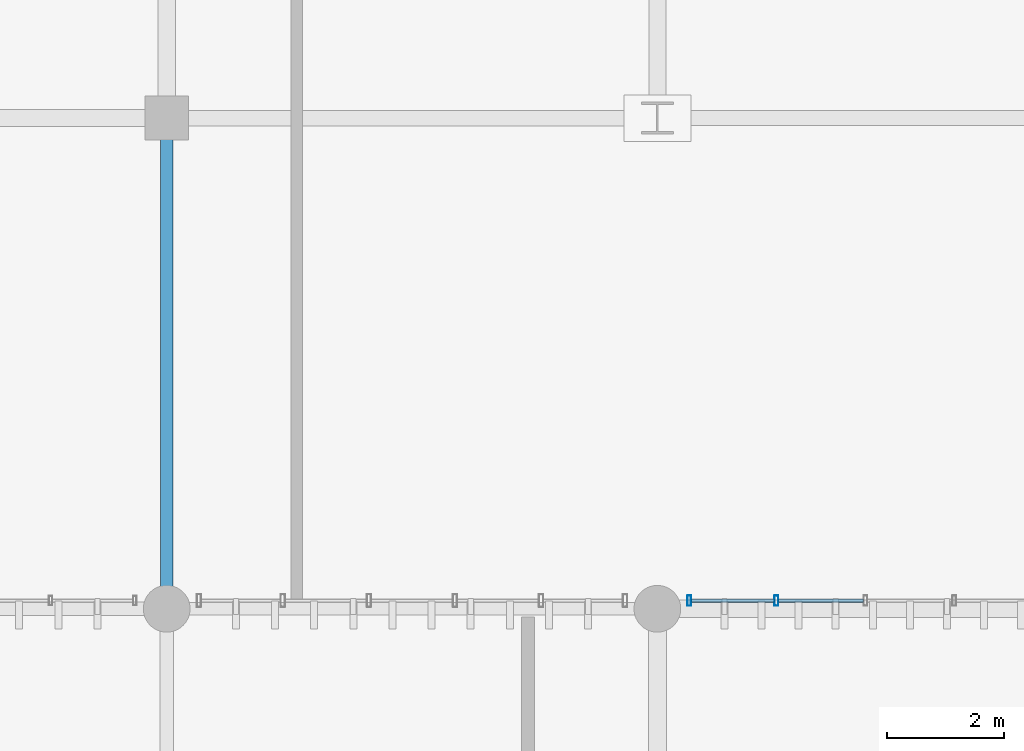
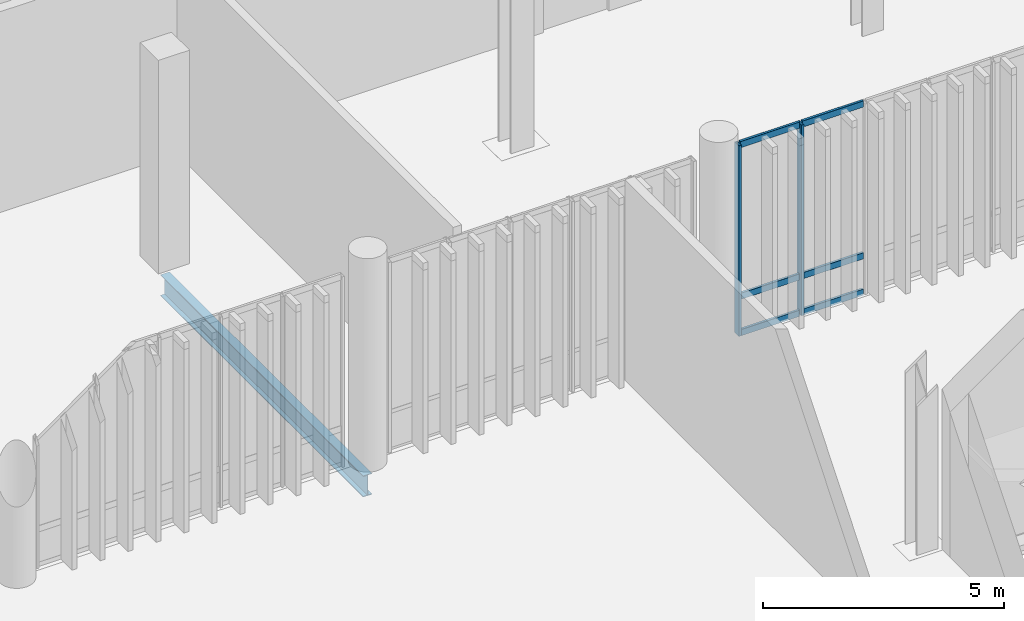
# One storey, part 18 of 112: 8 members, 1 beam, 1 element without a shape of its own.
"""IFC4 building model written with IfcOpenShell, lengths in metres."""

from ifc_helpers import new_model, si_unit, direction, frame, origin_with_axes, origin_2d_with_axis, place, context, subcontext, project, spatial, hollow_rectangle, i_section, extrude, material, material_profile, profile_set, type_object, element, aggregate, save


model = new_model("IFC4")

# Units and contexts
model_context = context("Model", 3, precision=1e-05, world=origin_with_axes(), true_north=direction((0.0, 1.0)))
body_context = subcontext(model_context, "Body", "Model", "MODEL_VIEW")
ifc_project = project(units=[si_unit("LENGTHUNIT", "METRE"), si_unit("AREAUNIT", "SQUARE_METRE"), si_unit("VOLUMEUNIT", "CUBIC_METRE"), si_unit("PLANEANGLEUNIT", "RADIAN"), si_unit("MASSUNIT", "GRAM", prefix="KILO"), si_unit("THERMODYNAMICTEMPERATUREUNIT", "KELVIN")], contexts=[model_context])

# Site, building, storey
site_placement = place(None, origin_with_axes())
site = spatial("IfcSite", under=ifc_project, at=site_placement, CompositionType="ELEMENT")
building_placement = place(site_placement, origin_with_axes())
building = spatial("IfcBuilding", under=site, at=building_placement, Name="Montbau Bow Law Courts", CompositionType="ELEMENT")
storey_placement = place(building_placement, origin_with_axes())
storey = spatial("IfcBuildingStorey", under=building, at=storey_placement, Name="L00", CompositionType="ELEMENT", Elevation=0.0)

# Beam
ifc_material_1 = material(Name="Steel CSA G40.21 Grade 350W (350 MPa)", Category="steel")
ifc_material_profile_1 = material_profile(ifc_material_1, i_section(OverallWidth=0.21, OverallDepth=0.537, WebThickness=0.0109, FlangeThickness=0.0174, at=origin_2d_with_axis()), Name="W530X101", Category="Main", Priority=0)
ifc_profile_set_1 = profile_set([ifc_material_profile_1], Name="Steel CSA G40.21 Grade 350W (350 MPa)")
beam_type = type_object("IfcBeamType", Name="B-FLR-06", PredefinedType="BEAM", material=ifc_profile_set_1)
beam_placement = place(None, frame((22.2, 30.6, -0.609), z_axis=(0.0, 1.0, 0.0), x_axis=(-1.0, 0.0, 0.0)))
element("IfcBeam", 1, at=beam_placement, inside=storey, type_object=beam_type, Name="BM-L00-S0250:bm2_0253", PredefinedType="BEAM", context=body_context, shape_type="SweptSolid", body=[
    extrude(i_section(OverallWidth=0.21, OverallDepth=0.537, WebThickness=0.0109, FlangeThickness=0.0174, at=origin_2d_with_axis()), origin_with_axes(), (0.0, 0.0, 1.0), 8.4),
])

# Curtain wall, members
ifc_material_2 = material(Name="Thermally Broken Extruded Aluminium AA 6063-T6", Category="aluminium")
curtain_wall_type = type_object("IfcCurtainWallType", Name="CW-TRC-01", PredefinedType="NOTDEFINED", material=ifc_material_2)
curtain_wall_placement = place(None, frame((31.115, 30.74, 0.0), z_axis=(0.0, 0.0, 1.0), x_axis=(1.0, 0.0, 0.0)))
curtain_wall = element("IfcCurtainWall", 2, at=curtain_wall_placement, inside=storey, type_object=curtain_wall_type, Name="CW-L00-004:cw_0004", PredefinedType="NOTDEFINED")
ifc_material_profile_2 = material_profile(ifc_material_2, hollow_rectangle(XDim=0.065, YDim=0.18, WallThickness=0.005, InnerFilletRadius=0.01, OuterFilletRadius=0.005, at=origin_2d_with_axis()), Name="CWM-180X65", Category="Main", Priority=0)
ifc_profile_set_2 = profile_set([ifc_material_profile_2], Name="Thermally Broken Extruded Aluminium AA 6063-T6")
member_type_1 = type_object("IfcMemberType", Name="M-MUL-02", PredefinedType="MULLION", material=ifc_profile_set_2)
member_1_placement = place(None, frame((31.148, 30.74, 0.0), z_axis=(0.0, 0.0, 1.0), x_axis=(1.0, 0.0, 0.0)))
member_1 = element("IfcMember", 3, at=member_1_placement, type_object=member_type_1, Name="CW-L00-004-M01:cw_0004_M01", PredefinedType="MULLION", context=body_context, shape_type="SweptSolid", body=[
    extrude(hollow_rectangle(XDim=0.065, YDim=0.18, WallThickness=0.005, InnerFilletRadius=0.01, OuterFilletRadius=0.005, at=origin_2d_with_axis()), origin_with_axes(), (0.0, 0.0, 1.0), 4.82),
])
member_2_placement = place(None, frame((32.638, 30.74, 0.0), z_axis=(0.0, 0.0, 1.0), x_axis=(1.0, 0.0, 0.0)))
member_2 = element("IfcMember", 4, at=member_2_placement, type_object=member_type_1, Name="CW-L00-004-M02:cw_0004_M02", PredefinedType="MULLION", context=body_context, shape_type="SweptSolid", body=[
    extrude(hollow_rectangle(XDim=0.065, YDim=0.18, WallThickness=0.005, InnerFilletRadius=0.01, OuterFilletRadius=0.005, at=origin_2d_with_axis()), origin_with_axes(), (0.0, 0.0, 1.0), 4.82),
])
ifc_material_profile_3 = material_profile(ifc_material_2, hollow_rectangle(XDim=0.06, YDim=0.16, WallThickness=0.004, InnerFilletRadius=0.008, OuterFilletRadius=0.004, at=origin_2d_with_axis()), Name="CWT-160X60", Category="Main", Priority=0)
ifc_profile_set_3 = profile_set([ifc_material_profile_3], Name="Thermally Broken Extruded Aluminium AA 6063-T6")
member_type_2 = type_object("IfcMemberType", Name="M-TRN-01", PredefinedType="USERDEFINED", material=ifc_profile_set_3)
member_3_placement = place(None, frame((31.183, 30.74, 0.03), z_axis=(1.0, 0.0, 0.0), x_axis=(0.0, 1.0, 0.0)))
member_3 = element("IfcMember", 5, at=member_3_placement, type_object=member_type_2, Name="CW-L00-004-T01-1:cw_0004_T01_1", ObjectType="TRANSOM", PredefinedType="USERDEFINED", context=body_context, shape_type="SweptSolid", body=[
    extrude(hollow_rectangle(XDim=0.06, YDim=0.16, WallThickness=0.004, InnerFilletRadius=0.008, OuterFilletRadius=0.004, at=origin_2d_with_axis()), origin_with_axes(), (0.0, 0.0, 1.0), 1.42),
])
member_4_placement = place(None, frame((31.183, 30.74, 0.95), z_axis=(1.0, 0.0, 0.0), x_axis=(0.0, 1.0, 0.0)))
member_4 = element("IfcMember", 6, at=member_4_placement, type_object=member_type_2, Name="CW-L00-004-T01-2:cw_0004_T01_2", ObjectType="TRANSOM", PredefinedType="USERDEFINED", context=body_context, shape_type="SweptSolid", body=[
    extrude(hollow_rectangle(XDim=0.06, YDim=0.16, WallThickness=0.004, InnerFilletRadius=0.008, OuterFilletRadius=0.004, at=origin_2d_with_axis()), origin_with_axes(), (0.0, 0.0, 1.0), 1.42),
])
member_5_placement = place(None, frame((31.183, 30.74, 4.79), z_axis=(1.0, 0.0, 0.0), x_axis=(0.0, 1.0, 0.0)))
member_5 = element("IfcMember", 7, at=member_5_placement, type_object=member_type_2, Name="CW-L00-004-T01-3:cw_0004_T01_3", ObjectType="TRANSOM", PredefinedType="USERDEFINED", context=body_context, shape_type="SweptSolid", body=[
    extrude(hollow_rectangle(XDim=0.06, YDim=0.16, WallThickness=0.004, InnerFilletRadius=0.008, OuterFilletRadius=0.004, at=origin_2d_with_axis()), origin_with_axes(), (0.0, 0.0, 1.0), 1.42),
])
member_6_placement = place(None, frame((32.672, 30.74, 0.03), z_axis=(1.0, 0.0, 0.0), x_axis=(0.0, 1.0, 0.0)))
member_6 = element("IfcMember", 8, at=member_6_placement, type_object=member_type_2, Name="CW-L00-004-T02-1:cw_0004_T02_1", ObjectType="TRANSOM", PredefinedType="USERDEFINED", context=body_context, shape_type="SweptSolid", body=[
    extrude(hollow_rectangle(XDim=0.06, YDim=0.16, WallThickness=0.004, InnerFilletRadius=0.008, OuterFilletRadius=0.004, at=origin_2d_with_axis()), origin_with_axes(), (0.0, 0.0, 1.0), 1.456),
])
member_7_placement = place(None, frame((32.672, 30.74, 0.95), z_axis=(1.0, 0.0, 0.0), x_axis=(0.0, 1.0, 0.0)))
member_7 = element("IfcMember", 9, at=member_7_placement, type_object=member_type_2, Name="CW-L00-004-T02-2:cw_0004_T02_2", ObjectType="TRANSOM", PredefinedType="USERDEFINED", context=body_context, shape_type="SweptSolid", body=[
    extrude(hollow_rectangle(XDim=0.06, YDim=0.16, WallThickness=0.004, InnerFilletRadius=0.008, OuterFilletRadius=0.004, at=origin_2d_with_axis()), origin_with_axes(), (0.0, 0.0, 1.0), 1.456),
])
member_8_placement = place(None, frame((32.672, 30.74, 4.79), z_axis=(1.0, 0.0, 0.0), x_axis=(0.0, 1.0, 0.0)))
member_8 = element("IfcMember", 10, at=member_8_placement, type_object=member_type_2, Name="CW-L00-004-T02-3:cw_0004_T02_3", ObjectType="TRANSOM", PredefinedType="USERDEFINED", context=body_context, shape_type="SweptSolid", body=[
    extrude(hollow_rectangle(XDim=0.06, YDim=0.16, WallThickness=0.004, InnerFilletRadius=0.008, OuterFilletRadius=0.004, at=origin_2d_with_axis()), origin_with_axes(), (0.0, 0.0, 1.0), 1.456),
])
aggregate(curtain_wall, [member_1, member_2, member_3, member_4, member_5, member_6, member_7, member_8])

save(model, "model.ifc")
